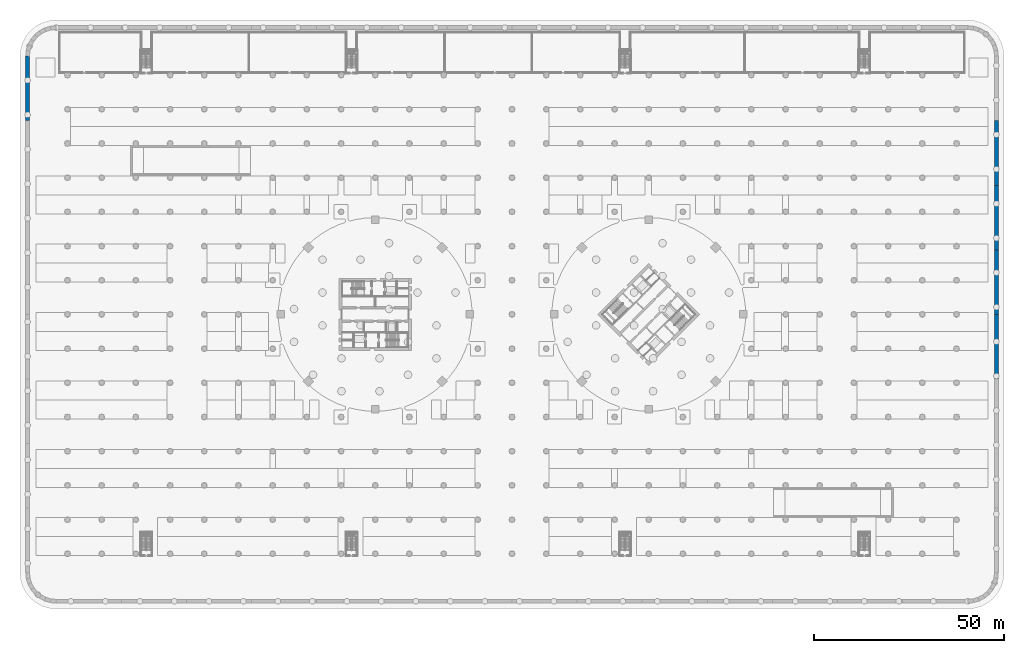
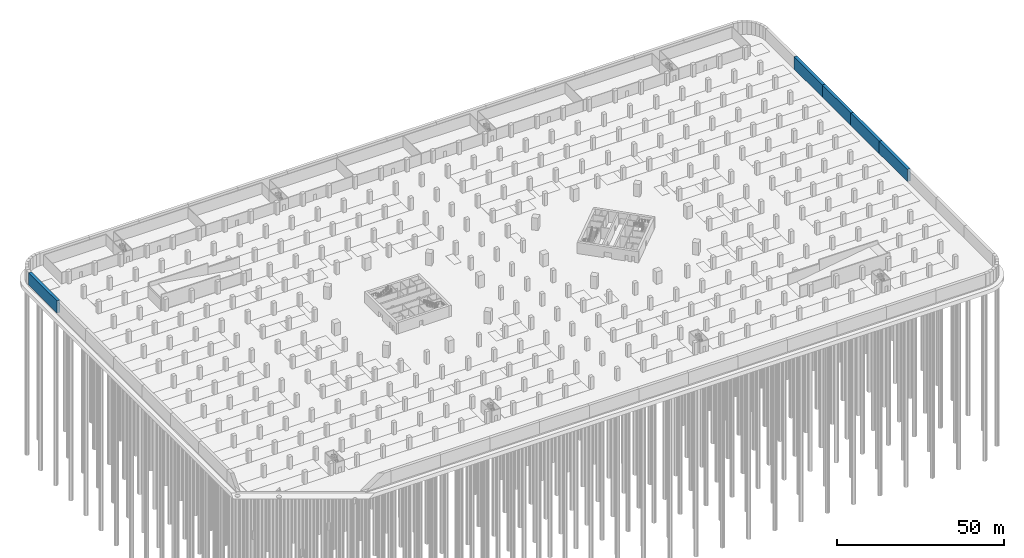
# One storey, part 19 of 39: 5 walls.
"""IFC4 building model written with IfcOpenShell, lengths in metres."""

from ifc_helpers import new_model, si_unit, direction, frame, frame_2d, origin, place, context, subcontext, project, spatial, rectangle, extrude, material, layer, layer_set, type_object, element, save


model = new_model("IFC4")

# Units and contexts
model_context = context("Model", 3, precision=1e-05, world=origin(), true_north=direction((0.0, 1.0)))
body_context = subcontext(model_context, "Body", "Model", "MODEL_VIEW")
ifc_project = project(units=[si_unit("LENGTHUNIT", "METRE"), si_unit("AREAUNIT", "SQUARE_METRE"), si_unit("VOLUMEUNIT", "CUBIC_METRE"), si_unit("PLANEANGLEUNIT", "RADIAN"), si_unit("MASSUNIT", "GRAM", prefix="KILO")], contexts=[model_context])

# Site, building, storey
site_placement = place(None, origin())
site = spatial("IfcSite", under=ifc_project, at=site_placement, CompositionType="ELEMENT")
building_placement = place(site_placement, origin())
building = spatial("IfcBuilding", under=site, at=building_placement, Name="Ogive Gate Towers", CompositionType="ELEMENT")
storey_placement = place(building_placement, frame((0.0, 0.0, -9.0)))
storey = spatial("IfcBuildingStorey", under=building, at=storey_placement, Name="B2", CompositionType="ELEMENT", Elevation=-9.0)

# Walls
ifc_material = material(Name="Concrete C40/50", Category="concrete")
ifc_layer = layer(ifc_material, 1.0)
ifc_layer_set = layer_set([ifc_layer], Name="Retaining wall 1000")
wall_type = type_object("IfcWallType", Name="Retaining wall 1000", PredefinedType="SOLIDWALL", material=ifc_layer_set)
wall_placement = place(storey_placement, frame((-127.5, 50.981689453125, 0.0), z_axis=(0.0, 0.0, 1.0), x_axis=(0.0, 1.0, 0.0)))
element("IfcWall", 1, at=wall_placement, inside=storey, type_object=wall_type, Name="BS/B2/SWL030", PredefinedType="SOLIDWALL", context=body_context, shape_type="SweptSolid", body=[
    extrude(rectangle(XDim=16.99365234375, YDim=1.0, at=frame_2d((8.496826171875, 0.0))), origin(), (0.0, 0.0, 1.0), 4.5),
])
for number, where, z_axis, x_axis, name in (
    (2, (127.5, 50.981689453125, 0.0), (0.0, 0.0, 1.0), (0.0, -1.0, 0.0), "BS/B2/SWL062"),
    (3, (127.5, 33.98779296875, 0.0), (0.0, 0.0, 1.0), (0.0, -1.0, 0.0), "BS/B2/SWL063"),
    (4, (127.5, 16.993896484375, 0.0), (0.0, 0.0, 1.0), (0.0, -1.0, 0.0), "BS/B2/SWL064"),
    (5, (127.5, 0.0, 0.0), (0.0, 0.0, 1.0), (0.0, -1.0, 0.0), "BS/B2/SWL065"),
):
    element("IfcWall", number, at=place(storey_placement, frame(where, z_axis=z_axis, x_axis=x_axis)), inside=storey, type_object=wall_type, Name=name, PredefinedType="SOLIDWALL", context=body_context, shape_type="SweptSolid", body=[
        extrude(rectangle(XDim=16.993896484375, YDim=1.0, at=frame_2d((8.4970703125, 0.0))), origin(), (0.0, 0.0, 1.0), 4.5),
    ])

save(model, "model.ifc")
